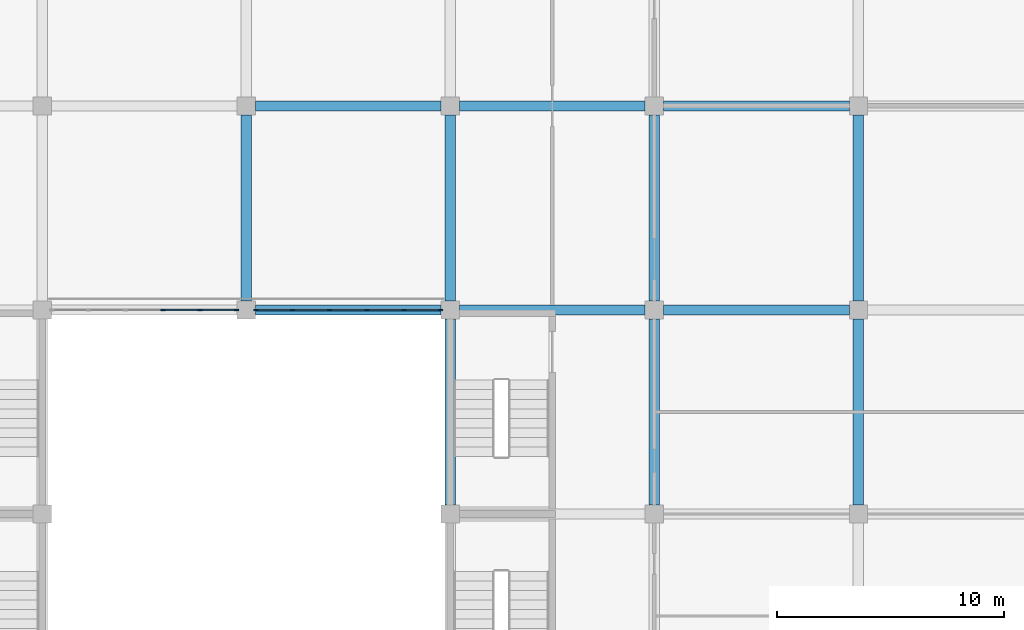
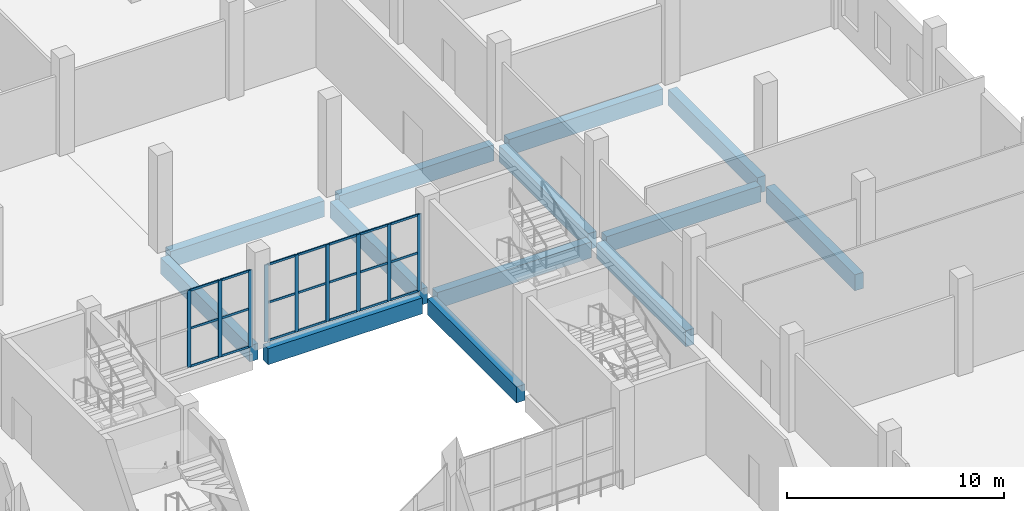
# One storey, part 24 of 185: 30 members, 13 beams, 2 elements without a shape of their own.
"""IFC4 building model written with IfcOpenShell, lengths in metres."""

import ifcopenshell
import ifcopenshell.guid

model = None  # the IFC model being written
_history = None  # IfcOwnerHistory: only IFC2X3 demands one
_inside = {}  # id of a spatial element -> (the spatial element, [elements in it])
_under = {}  # id of a project, library or spatial element -> (it, [spatial elements below it])
_declared = {}  # id of a project -> (the project, [libraries it declares])
_typed = {}  # id of a type object -> (the type object, [elements of that type])
_made_of = {}  # id of a material, layer set ... -> (it, [elements and type objects made of it])


def new_model(schema):
    """Start an empty IFC model of exactly this schema.

    Asked for "IFC4X3", IfcOpenShell would pick the latest addendum, in which some entities
    have other attributes; the version numbers below select the first issue.
    IFC2X3 requires an IfcOwnerHistory on every rooted entity: one is made here for all.
    """
    global model, _history
    if schema == "IFC4X3":
        model = ifcopenshell.file(schema_version=(4, 3, 0, 0))
    else:
        model = ifcopenshell.file(schema=schema)
    _inside.clear()
    _under.clear()
    _declared.clear()
    _typed.clear()
    _made_of.clear()
    _history = None
    if model.schema == "IFC2X3":
        org = make("IfcOrganization", Name="unknown")
        user = make(
            "IfcPersonAndOrganization",
            ThePerson=make("IfcPerson", FamilyName="unknown"),
            TheOrganization=org,
        )
        app = make(
            "IfcApplication",
            ApplicationDeveloper=org,
            Version="unknown",
            ApplicationFullName="unknown",
            ApplicationIdentifier="unknown",
        )
        _history = make(
            "IfcOwnerHistory",
            OwningUser=user,
            OwningApplication=app,
            ChangeAction="ADDED",
            CreationDate=0,
        )
    return model


def make(cls, **values):
    """One entity of the class cls with the attributes given. An attribute that is None is left unset."""
    return model.create_entity(
        cls, **{name: value for name, value in values.items() if value is not None}
    )


def rooted(cls, **values):
    """An entity with a GlobalId (a new one), such as an element, a storey or a relation."""
    return make(cls, GlobalId=ifcopenshell.guid.new(), OwnerHistory=_history, **values)


def si_unit(unit_type, name, prefix=None):
    """IfcSIUnit, for example si_unit("LENGTHUNIT", "METRE", prefix="MILLI")."""
    return make("IfcSIUnit", UnitType=unit_type, Prefix=prefix, Name=name)


def assignment(units):
    """IfcUnitAssignment: the units of a project."""
    return None if units is None else make("IfcUnitAssignment", Units=units)


def point(xyz):
    """IfcCartesianPoint."""
    return None if xyz is None else make("IfcCartesianPoint", Coordinates=xyz)


def direction(xyz):
    """IfcDirection."""
    return None if xyz is None else make("IfcDirection", DirectionRatios=xyz)


def frame(location, z_axis=None, x_axis=None):
    """IfcAxis2Placement3D, a coordinate frame: its origin and axes. An axis left out is left unset."""
    return make(
        "IfcAxis2Placement3D",
        Location=point(location),
        Axis=direction(z_axis),
        RefDirection=direction(x_axis),
    )


def frame_2d(location, x_axis=None):
    """IfcAxis2Placement2D, a coordinate frame in the plane: its origin and x axis."""
    return make(
        "IfcAxis2Placement2D", Location=point(location), RefDirection=direction(x_axis)
    )


def origin():
    """The frame at (0, 0, 0) with its axes left unset."""
    return frame((0.0, 0.0, 0.0))


def origin_2d():
    """The frame at (0, 0) in the plane with its x axis left unset."""
    return frame_2d((0.0, 0.0))


def place(relative_to, where):
    """IfcLocalPlacement: puts the frame where relative to a parent placement (None: the world)."""
    return make(
        "IfcLocalPlacement", PlacementRelTo=relative_to, RelativePlacement=where
    )


def context(
    kind, dimensions, precision=None, world=None, true_north=None, identifier=None
):
    """IfcGeometricRepresentationContext, for example the 3D "Model" context."""
    return make(
        "IfcGeometricRepresentationContext",
        ContextIdentifier=identifier,
        ContextType=kind,
        CoordinateSpaceDimension=dimensions,
        Precision=precision,
        WorldCoordinateSystem=world,
        TrueNorth=true_north,
    )


def subcontext(parent, identifier, kind, view, scale=None):
    """IfcGeometricRepresentationSubContext, for example "Body" below "Model"."""
    return make(
        "IfcGeometricRepresentationSubContext",
        ContextIdentifier=identifier,
        ContextType=kind,
        ParentContext=parent,
        TargetScale=scale,
        TargetView=view,
    )


def project(units=None, contexts=None):
    """IfcProject with its units and contexts."""
    return rooted(
        "IfcProject",
        Name="project",
        RepresentationContexts=contexts,
        UnitsInContext=assignment(units),
    )


def spatial(cls, under=None, at=None, **own):
    """A site, building, storey or space (cls), placed at a placement, below another one or the project."""
    s = rooted(cls, ObjectPlacement=at, **own)
    if under is not None:
        _under.setdefault(under.id(), (under, []))[1].append(s)
    return s


def profile(cls, at=None, kind="AREA", **sizes):
    """A parametric profile (cls). Its sizes go by their IFC names, for example OverallWidth=200.0."""
    return make(cls, ProfileType=kind, Position=at, **sizes)


def rectangle(**sizes):
    """IfcRectangleProfileDef."""
    return profile("IfcRectangleProfileDef", **sizes)


def extrude(swept, where, along, depth):
    """IfcExtrudedAreaSolid: the profile swept, set in the frame where, extruded along a direction by depth."""
    return make(
        "IfcExtrudedAreaSolid",
        SweptArea=swept,
        Position=where,
        ExtrudedDirection=direction(along),
        Depth=depth,
    )


def shape(context_of_items, identifier, shape_type, items):
    """IfcShapeRepresentation: the items that make up one representation, for example the "Body"."""
    return make(
        "IfcShapeRepresentation",
        ContextOfItems=context_of_items,
        RepresentationIdentifier=identifier,
        RepresentationType=shape_type,
        Items=items,
    )


def material(Name=None, Category=None):
    """IfcMaterial."""
    return make("IfcMaterial", Name=Name, Category=Category)


def layer(
    of_material, thickness, ventilated=None, Name=None, Category=None, Priority=None
):
    """IfcMaterialLayer: one layer of a wall or slab, of a material (None: an air gap)."""
    return make(
        "IfcMaterialLayer",
        Material=of_material,
        LayerThickness=thickness,
        IsVentilated=ventilated,
        Name=Name,
        Category=Category,
        Priority=Priority,
    )


def layer_set(layers, Name=None):
    """IfcMaterialLayerSet."""
    return make("IfcMaterialLayerSet", MaterialLayers=layers, LayerSetName=Name)


def material_profile(
    of_material, cross_section, Name=None, Category=None, Priority=None
):
    """IfcMaterialProfile: a cross section and its material."""
    return make(
        "IfcMaterialProfile",
        Name=Name,
        Material=of_material,
        Profile=cross_section,
        Priority=Priority,
        Category=Category,
    )


def profile_set(profiles, Name=None, composite=None):
    """IfcMaterialProfileSet."""
    return make(
        "IfcMaterialProfileSet",
        Name=Name,
        MaterialProfiles=profiles,
        CompositeProfile=composite,
    )


def made_of(thing, what):
    """Note that an element or type object is made of a material, layer set ...; save() writes the relation."""
    if what is not None:
        _made_of.setdefault(what.id(), (what, []))[1].append(thing)
    return thing


def type_object(cls, material=None, **own):
    """A type object (cls), such as IfcWallType, which elements share."""
    return made_of(rooted(cls, **own), material)


def element(
    cls,
    number,
    at=None,
    inside=None,
    cuts=None,
    type_object=None,
    material=None,
    context=None,
    identifier="Body",
    shape_type=None,
    held_by="IfcProductDefinitionShape",
    body=None,
    shapes=None,
    **own,
):
    """One element of the class cls, such as IfcWall. Its Tag is "e" and its number.

    at: its placement. inside: the storey or other place that contains it. cuts: it is an
    opening in that element (IfcRelVoidsElement). A single representation is given by context,
    identifier, shape_type and body (its items); several are given by shapes. held_by: the class
    of the entity that holds the representations. save() writes the other relations.
    """
    e = rooted(cls, Tag="e%d" % number, ObjectPlacement=at, **own)
    if body is not None:
        shapes = [shape(context, identifier, shape_type, body)]
    if shapes is not None:
        e.Representation = make(held_by, Representations=shapes)
    if inside is not None:
        _inside.setdefault(inside.id(), (inside, []))[1].append(e)
    if cuts is not None:
        rooted(
            "IfcRelVoidsElement", RelatingBuildingElement=cuts, RelatedOpeningElement=e
        )
    if type_object is not None:
        _typed.setdefault(type_object.id(), (type_object, []))[1].append(e)
    return made_of(e, material)


def aggregate(whole, parts):
    """IfcRelAggregates: a whole, such as a stair, and the parts it consists of."""
    return rooted("IfcRelAggregates", RelatingObject=whole, RelatedObjects=parts)


def save(model, path):
    """Write the relations noted so far, then the file.

    IfcRelAggregates (storeys below a building ...), IfcRelContainedInSpatialStructure (elements
    in a storey), IfcRelDefinesByType, IfcRelAssociatesMaterial and IfcRelDeclares: one each for
    every whole, place, type object, material and project.
    """
    for whole, parts in _under.values():
        aggregate(whole, parts)
    for where, things in _inside.values():
        rooted(
            "IfcRelContainedInSpatialStructure",
            RelatedElements=things,
            RelatingStructure=where,
        )
    for kind, things in _typed.values():
        rooted("IfcRelDefinesByType", RelatedObjects=things, RelatingType=kind)
    for what, things in _made_of.values():
        rooted("IfcRelAssociatesMaterial", RelatedObjects=things, RelatingMaterial=what)
    for by, libraries in _declared.values():
        rooted("IfcRelDeclares", RelatingContext=by, RelatedDefinitions=libraries)
    model.write(path)


model = new_model("IFC4")

# Units and contexts
model_context = context("Model", 3, precision=1e-05, world=origin(), true_north=direction((0.0, 1.0)))
body_context = subcontext(model_context, "Body", "Model", "MODEL_VIEW")
ifc_project = project(units=[si_unit("LENGTHUNIT", "METRE"), si_unit("AREAUNIT", "SQUARE_METRE"), si_unit("VOLUMEUNIT", "CUBIC_METRE"), si_unit("PLANEANGLEUNIT", "RADIAN"), si_unit("MASSUNIT", "GRAM", prefix="KILO")], contexts=[model_context])

# Site, building, storey
site_placement = place(None, origin())
site = spatial("IfcSite", under=ifc_project, at=site_placement, CompositionType="ELEMENT")
building_placement = place(site_placement, origin())
building = spatial("IfcBuilding", under=site, at=building_placement, Name="Opaline Strait Convention Centre", CompositionType="ELEMENT")
storey_placement = place(building_placement, frame((0.0, 0.0, 6.0)))
storey = spatial("IfcBuildingStorey", under=building, at=storey_placement, Name="L01", CompositionType="ELEMENT", Elevation=6.0)

# Curtain wall, members
ifc_material_1 = material(Name="Aluminium framed double glazing", Category="aluminium")
ifc_layer = layer(ifc_material_1, 0.199951171875)
ifc_layer_set = layer_set([ifc_layer], Name="Aluminium framed double glazing")
curtain_wall_type = type_object("IfcCurtainWallType", Name="Curtain wall 1500 module", PredefinedType="NOTDEFINED", material=ifc_layer_set)
curtain_wall_1_placement = place(storey_placement, origin())
curtain_wall_1 = element("IfcCurtainWall", 1, at=curtain_wall_1_placement, inside=storey, type_object=curtain_wall_type, Name="L01 court glazing Nc 1", PredefinedType="NOTDEFINED")
ifc_material_2 = material(Name="Aluminium alloy 6063", Category="aluminium")
ifc_material_profile_1 = material_profile(ifc_material_2, rectangle(XDim=0.06005859375, YDim=0.199951171875, at=origin_2d()), Name="Curtain wall mullion 60x200")
ifc_profile_set_1 = profile_set([ifc_material_profile_1], Name="Aluminium alloy 6063")
member_type_1 = type_object("IfcMemberType", Name="Curtain wall mullion 60x200", PredefinedType="MULLION", material=ifc_profile_set_1)
member_1_placement = place(storey_placement, frame((41.320068359375, 63.0, 0.0), z_axis=(0.0, 0.0, 1.0), x_axis=(0.0, 1.0, 0.0)))
member_1 = element("IfcMember", 2, at=member_1_placement, type_object=member_type_1, Name="RCW1 mullion 4", PredefinedType="MULLION", context=body_context, shape_type="SweptSolid", body=[
    extrude(rectangle(XDim=0.06005859375, YDim=0.199951171875, at=origin_2d()), origin(), (0.0, 0.0, 1.0), 4.320068359375),
])
member_2_placement = place(storey_placement, frame((42.9599609375, 63.0, 0.0), z_axis=(0.0, 0.0, 1.0), x_axis=(0.0, 1.0, 0.0)))
member_2 = element("IfcMember", 3, at=member_2_placement, type_object=member_type_1, Name="RCW1 mullion 5", PredefinedType="MULLION", context=body_context, shape_type="SweptSolid", body=[
    extrude(rectangle(XDim=0.06005859375, YDim=0.199951171875, at=origin_2d()), origin(), (0.0, 0.0, 1.0), 4.320068359375),
])
member_3_placement = place(storey_placement, frame((44.570068359375, 63.0, 0.0), z_axis=(0.0, 0.0, 1.0), x_axis=(0.0, 1.0, 0.0)))
member_3 = element("IfcMember", 4, at=member_3_placement, type_object=member_type_1, Name="RCW1 mullion 6", PredefinedType="MULLION", context=body_context, shape_type="SweptSolid", body=[
    extrude(rectangle(XDim=0.06005859375, YDim=0.199951171875, at=origin_2d()), origin(), (0.0, 0.0, 1.0), 4.320068359375),
])

curtain_wall_2_placement = place(storey_placement, origin())
curtain_wall_2 = element("IfcCurtainWall", 5, at=curtain_wall_2_placement, inside=storey, type_object=curtain_wall_type, Name="L01 court glazing Nc 2", PredefinedType="NOTDEFINED")
member_4_placement = place(storey_placement, frame((45.429931640625, 63.0, 0.0), z_axis=(0.0, 0.0, 1.0), x_axis=(0.0, 1.0, 0.0)))
member_4 = element("IfcMember", 6, at=member_4_placement, type_object=member_type_1, Name="RCW1 mullion 1", PredefinedType="MULLION", context=body_context, shape_type="SweptSolid", body=[
    extrude(rectangle(XDim=0.06005859375, YDim=0.199951171875, at=origin_2d()), origin(), (0.0, 0.0, 1.0), 4.320068359375),
])
member_5_placement = place(storey_placement, frame((47.0400390625, 63.0, 0.0), z_axis=(0.0, 0.0, 1.0), x_axis=(0.0, 1.0, 0.0)))
member_5 = element("IfcMember", 7, at=member_5_placement, type_object=member_type_1, Name="RCW1 mullion 2", PredefinedType="MULLION", context=body_context, shape_type="SweptSolid", body=[
    extrude(rectangle(XDim=0.06005859375, YDim=0.199951171875, at=origin_2d()), origin(), (0.0, 0.0, 1.0), 4.320068359375),
])
member_6_placement = place(storey_placement, frame((48.679931640625, 63.0, 0.0), z_axis=(0.0, 0.0, 1.0), x_axis=(0.0, 1.0, 0.0)))
member_6 = element("IfcMember", 8, at=member_6_placement, type_object=member_type_1, Name="RCW1 mullion 3", PredefinedType="MULLION", context=body_context, shape_type="SweptSolid", body=[
    extrude(rectangle(XDim=0.06005859375, YDim=0.199951171875, at=origin_2d()), origin(), (0.0, 0.0, 1.0), 4.320068359375),
])
member_7_placement = place(storey_placement, frame((50.320068359375, 63.0, 0.0), z_axis=(0.0, 0.0, 1.0), x_axis=(0.0, 1.0, 0.0)))
member_7 = element("IfcMember", 9, at=member_7_placement, type_object=member_type_1, Name="RCW1 mullion 4", PredefinedType="MULLION", context=body_context, shape_type="SweptSolid", body=[
    extrude(rectangle(XDim=0.06005859375, YDim=0.199951171875, at=origin_2d()), origin(), (0.0, 0.0, 1.0), 4.320068359375),
])
member_8_placement = place(storey_placement, frame((51.9599609375, 63.0, 0.0), z_axis=(0.0, 0.0, 1.0), x_axis=(0.0, 1.0, 0.0)))
member_8 = element("IfcMember", 10, at=member_8_placement, type_object=member_type_1, Name="RCW1 mullion 5", PredefinedType="MULLION", context=body_context, shape_type="SweptSolid", body=[
    extrude(rectangle(XDim=0.06005859375, YDim=0.199951171875, at=origin_2d()), origin(), (0.0, 0.0, 1.0), 4.320068359375),
])
member_9_placement = place(storey_placement, frame((53.570068359375, 63.0, 0.0), z_axis=(0.0, 0.0, 1.0), x_axis=(0.0, 1.0, 0.0)))
member_9 = element("IfcMember", 11, at=member_9_placement, type_object=member_type_1, Name="RCW1 mullion 6", PredefinedType="MULLION", context=body_context, shape_type="SweptSolid", body=[
    extrude(rectangle(XDim=0.06005859375, YDim=0.199951171875, at=origin_2d()), origin(), (0.0, 0.0, 1.0), 4.320068359375),
])

# Member
ifc_material_profile_2 = material_profile(ifc_material_2, rectangle(XDim=0.06005859375, YDim=0.1201171875, at=origin_2d()), Name="Curtain wall transom 60x120")
ifc_profile_set_2 = profile_set([ifc_material_profile_2], Name="Aluminium alloy 6063")
member_type_2 = type_object("IfcMemberType", Name="Curtain wall transom 60x120", PredefinedType="USERDEFINED", material=ifc_profile_set_2)
member_10_placement = place(storey_placement, frame((41.35009765625, 63.0, 0.030029296875), z_axis=(1.0, 0.0, 0.0), x_axis=(0.0, 1.0, 0.0)))
member_10 = element("IfcMember", 12, at=member_10_placement, type_object=member_type_2, Name="RCW1 transom 4.1", ObjectType="TRANSOM", PredefinedType="USERDEFINED", context=body_context, shape_type="SweptSolid", body=[
    extrude(rectangle(XDim=0.06005859375, YDim=0.1201171875, at=origin_2d()), origin(), (0.0, 0.0, 1.0), 1.580078125),
])

member_11_placement = place(storey_placement, frame((41.35009765625, 63.0, 2.159912109375), z_axis=(1.0, 0.0, 0.0), x_axis=(0.0, 1.0, 0.0)))
member_11 = element("IfcMember", 13, at=member_11_placement, type_object=member_type_2, Name="RCW1 transom 4.2", ObjectType="TRANSOM", PredefinedType="USERDEFINED", context=body_context, shape_type="SweptSolid", body=[
    extrude(rectangle(XDim=0.06005859375, YDim=0.1201171875, at=origin_2d()), origin(), (0.0, 0.0, 1.0), 1.580078125),
])

member_12_placement = place(storey_placement, frame((41.35009765625, 63.0, 4.2900390625), z_axis=(1.0, 0.0, 0.0), x_axis=(0.0, 1.0, 0.0)))
member_12 = element("IfcMember", 14, at=member_12_placement, type_object=member_type_2, Name="RCW1 transom 4.3", ObjectType="TRANSOM", PredefinedType="USERDEFINED", context=body_context, shape_type="SweptSolid", body=[
    extrude(rectangle(XDim=0.06005859375, YDim=0.1201171875, at=origin_2d()), origin(), (0.0, 0.0, 1.0), 1.580078125),
])

member_13_placement = place(storey_placement, frame((42.989990234375, 63.0, 0.030029296875), z_axis=(1.0, 0.0, 0.0), x_axis=(0.0, 1.0, 0.0)))
member_13 = element("IfcMember", 15, at=member_13_placement, type_object=member_type_2, Name="RCW1 transom 5.1", ObjectType="TRANSOM", PredefinedType="USERDEFINED", context=body_context, shape_type="SweptSolid", body=[
    extrude(rectangle(XDim=0.06005859375, YDim=0.1201171875, at=origin_2d()), origin(), (0.0, 0.0, 1.0), 1.550048828125),
])

member_14_placement = place(storey_placement, frame((42.989990234375, 63.0, 2.159912109375), z_axis=(1.0, 0.0, 0.0), x_axis=(0.0, 1.0, 0.0)))
member_14 = element("IfcMember", 16, at=member_14_placement, type_object=member_type_2, Name="RCW1 transom 5.2", ObjectType="TRANSOM", PredefinedType="USERDEFINED", context=body_context, shape_type="SweptSolid", body=[
    extrude(rectangle(XDim=0.06005859375, YDim=0.1201171875, at=origin_2d()), origin(), (0.0, 0.0, 1.0), 1.550048828125),
])

member_15_placement = place(storey_placement, frame((42.989990234375, 63.0, 4.2900390625), z_axis=(1.0, 0.0, 0.0), x_axis=(0.0, 1.0, 0.0)))
member_15 = element("IfcMember", 17, at=member_15_placement, type_object=member_type_2, Name="RCW1 transom 5.3", ObjectType="TRANSOM", PredefinedType="USERDEFINED", context=body_context, shape_type="SweptSolid", body=[
    extrude(rectangle(XDim=0.06005859375, YDim=0.1201171875, at=origin_2d()), origin(), (0.0, 0.0, 1.0), 1.550048828125),
])

aggregate(curtain_wall_1, [member_1, member_2, member_3, member_10, member_11, member_12, member_13, member_14, member_15])

member_16_placement = place(storey_placement, frame((45.4599609375, 63.0, 0.030029296875), z_axis=(1.0, 0.0, 0.0), x_axis=(0.0, 1.0, 0.0)))
member_16 = element("IfcMember", 18, at=member_16_placement, type_object=member_type_2, Name="RCW1 transom 1.1", ObjectType="TRANSOM", PredefinedType="USERDEFINED", context=body_context, shape_type="SweptSolid", body=[
    extrude(rectangle(XDim=0.06005859375, YDim=0.1201171875, at=origin_2d()), origin(), (0.0, 0.0, 1.0), 1.550048828125),
])

member_17_placement = place(storey_placement, frame((45.4599609375, 63.0, 2.159912109375), z_axis=(1.0, 0.0, 0.0), x_axis=(0.0, 1.0, 0.0)))
member_17 = element("IfcMember", 19, at=member_17_placement, type_object=member_type_2, Name="RCW1 transom 1.2", ObjectType="TRANSOM", PredefinedType="USERDEFINED", context=body_context, shape_type="SweptSolid", body=[
    extrude(rectangle(XDim=0.06005859375, YDim=0.1201171875, at=origin_2d()), origin(), (0.0, 0.0, 1.0), 1.550048828125),
])

member_18_placement = place(storey_placement, frame((45.4599609375, 63.0, 4.2900390625), z_axis=(1.0, 0.0, 0.0), x_axis=(0.0, 1.0, 0.0)))
member_18 = element("IfcMember", 20, at=member_18_placement, type_object=member_type_2, Name="RCW1 transom 1.3", ObjectType="TRANSOM", PredefinedType="USERDEFINED", context=body_context, shape_type="SweptSolid", body=[
    extrude(rectangle(XDim=0.06005859375, YDim=0.1201171875, at=origin_2d()), origin(), (0.0, 0.0, 1.0), 1.550048828125),
])

member_19_placement = place(storey_placement, frame((47.06982421875, 63.0, 0.030029296875), z_axis=(1.0, 0.0, 0.0), x_axis=(0.0, 1.0, 0.0)))
member_19 = element("IfcMember", 21, at=member_19_placement, type_object=member_type_2, Name="RCW1 transom 2.1", ObjectType="TRANSOM", PredefinedType="USERDEFINED", context=body_context, shape_type="SweptSolid", body=[
    extrude(rectangle(XDim=0.06005859375, YDim=0.1201171875, at=origin_2d()), origin(), (0.0, 0.0, 1.0), 1.580078125),
])

member_20_placement = place(storey_placement, frame((47.06982421875, 63.0, 2.159912109375), z_axis=(1.0, 0.0, 0.0), x_axis=(0.0, 1.0, 0.0)))
member_20 = element("IfcMember", 22, at=member_20_placement, type_object=member_type_2, Name="RCW1 transom 2.2", ObjectType="TRANSOM", PredefinedType="USERDEFINED", context=body_context, shape_type="SweptSolid", body=[
    extrude(rectangle(XDim=0.06005859375, YDim=0.1201171875, at=origin_2d()), origin(), (0.0, 0.0, 1.0), 1.580078125),
])

member_21_placement = place(storey_placement, frame((47.06982421875, 63.0, 4.2900390625), z_axis=(1.0, 0.0, 0.0), x_axis=(0.0, 1.0, 0.0)))
member_21 = element("IfcMember", 23, at=member_21_placement, type_object=member_type_2, Name="RCW1 transom 2.3", ObjectType="TRANSOM", PredefinedType="USERDEFINED", context=body_context, shape_type="SweptSolid", body=[
    extrude(rectangle(XDim=0.06005859375, YDim=0.1201171875, at=origin_2d()), origin(), (0.0, 0.0, 1.0), 1.580078125),
])

member_22_placement = place(storey_placement, frame((48.7099609375, 63.0, 0.030029296875), z_axis=(1.0, 0.0, 0.0), x_axis=(0.0, 1.0, 0.0)))
member_22 = element("IfcMember", 24, at=member_22_placement, type_object=member_type_2, Name="RCW1 transom 3.1", ObjectType="TRANSOM", PredefinedType="USERDEFINED", context=body_context, shape_type="SweptSolid", body=[
    extrude(rectangle(XDim=0.06005859375, YDim=0.1201171875, at=origin_2d()), origin(), (0.0, 0.0, 1.0), 1.580078125),
])

member_23_placement = place(storey_placement, frame((48.7099609375, 63.0, 2.159912109375), z_axis=(1.0, 0.0, 0.0), x_axis=(0.0, 1.0, 0.0)))
member_23 = element("IfcMember", 25, at=member_23_placement, type_object=member_type_2, Name="RCW1 transom 3.2", ObjectType="TRANSOM", PredefinedType="USERDEFINED", context=body_context, shape_type="SweptSolid", body=[
    extrude(rectangle(XDim=0.06005859375, YDim=0.1201171875, at=origin_2d()), origin(), (0.0, 0.0, 1.0), 1.580078125),
])

member_24_placement = place(storey_placement, frame((48.7099609375, 63.0, 4.2900390625), z_axis=(1.0, 0.0, 0.0), x_axis=(0.0, 1.0, 0.0)))
member_24 = element("IfcMember", 26, at=member_24_placement, type_object=member_type_2, Name="RCW1 transom 3.3", ObjectType="TRANSOM", PredefinedType="USERDEFINED", context=body_context, shape_type="SweptSolid", body=[
    extrude(rectangle(XDim=0.06005859375, YDim=0.1201171875, at=origin_2d()), origin(), (0.0, 0.0, 1.0), 1.580078125),
])

member_25_placement = place(storey_placement, frame((50.35009765625, 63.0, 0.030029296875), z_axis=(1.0, 0.0, 0.0), x_axis=(0.0, 1.0, 0.0)))
member_25 = element("IfcMember", 27, at=member_25_placement, type_object=member_type_2, Name="RCW1 transom 4.1", ObjectType="TRANSOM", PredefinedType="USERDEFINED", context=body_context, shape_type="SweptSolid", body=[
    extrude(rectangle(XDim=0.06005859375, YDim=0.1201171875, at=origin_2d()), origin(), (0.0, 0.0, 1.0), 1.580078125),
])

member_26_placement = place(storey_placement, frame((50.35009765625, 63.0, 2.159912109375), z_axis=(1.0, 0.0, 0.0), x_axis=(0.0, 1.0, 0.0)))
member_26 = element("IfcMember", 28, at=member_26_placement, type_object=member_type_2, Name="RCW1 transom 4.2", ObjectType="TRANSOM", PredefinedType="USERDEFINED", context=body_context, shape_type="SweptSolid", body=[
    extrude(rectangle(XDim=0.06005859375, YDim=0.1201171875, at=origin_2d()), origin(), (0.0, 0.0, 1.0), 1.580078125),
])

member_27_placement = place(storey_placement, frame((50.35009765625, 63.0, 4.2900390625), z_axis=(1.0, 0.0, 0.0), x_axis=(0.0, 1.0, 0.0)))
member_27 = element("IfcMember", 29, at=member_27_placement, type_object=member_type_2, Name="RCW1 transom 4.3", ObjectType="TRANSOM", PredefinedType="USERDEFINED", context=body_context, shape_type="SweptSolid", body=[
    extrude(rectangle(XDim=0.06005859375, YDim=0.1201171875, at=origin_2d()), origin(), (0.0, 0.0, 1.0), 1.580078125),
])

member_28_placement = place(storey_placement, frame((51.989990234375, 63.0, 0.030029296875), z_axis=(1.0, 0.0, 0.0), x_axis=(0.0, 1.0, 0.0)))
member_28 = element("IfcMember", 30, at=member_28_placement, type_object=member_type_2, Name="RCW1 transom 5.1", ObjectType="TRANSOM", PredefinedType="USERDEFINED", context=body_context, shape_type="SweptSolid", body=[
    extrude(rectangle(XDim=0.06005859375, YDim=0.1201171875, at=origin_2d()), origin(), (0.0, 0.0, 1.0), 1.550048828125),
])

member_29_placement = place(storey_placement, frame((51.989990234375, 63.0, 2.159912109375), z_axis=(1.0, 0.0, 0.0), x_axis=(0.0, 1.0, 0.0)))
member_29 = element("IfcMember", 31, at=member_29_placement, type_object=member_type_2, Name="RCW1 transom 5.2", ObjectType="TRANSOM", PredefinedType="USERDEFINED", context=body_context, shape_type="SweptSolid", body=[
    extrude(rectangle(XDim=0.06005859375, YDim=0.1201171875, at=origin_2d()), origin(), (0.0, 0.0, 1.0), 1.550048828125),
])

member_30_placement = place(storey_placement, frame((51.989990234375, 63.0, 4.2900390625), z_axis=(1.0, 0.0, 0.0), x_axis=(0.0, 1.0, 0.0)))
member_30 = element("IfcMember", 32, at=member_30_placement, type_object=member_type_2, Name="RCW1 transom 5.3", ObjectType="TRANSOM", PredefinedType="USERDEFINED", context=body_context, shape_type="SweptSolid", body=[
    extrude(rectangle(XDim=0.06005859375, YDim=0.1201171875, at=origin_2d()), origin(), (0.0, 0.0, 1.0), 1.550048828125),
])

aggregate(curtain_wall_2, [member_4, member_5, member_6, member_7, member_8, member_9, member_16, member_17, member_18, member_19, member_20, member_21, member_22, member_23, member_24, member_25, member_26, member_27, member_28, member_29, member_30])

# Beams
ifc_material_3 = material(Name="Concrete C35", Category="concrete")
ifc_material_profile_3 = material_profile(ifc_material_3, rectangle(XDim=0.449951171875, YDim=0.89990234375, at=origin_2d()), Name="RC 450x900")
ifc_profile_set_3 = profile_set([ifc_material_profile_3], Name="Concrete C35")
beam_type = type_object("IfcBeamType", Name="RC beam 450x900 C35", PredefinedType="BEAM", material=ifc_profile_set_3)
for number, where, z_axis, x_axis, name in (
    (33, (45.39990234375, 63.0, -0.72998046875), (1.0, 0.0, 0.0), (0.0, 1.0, 0.0), "XB1 L01 45/63-54/63"),
    (34, (54.39990234375, 63.0, -0.72998046875), (1.0, 0.0, 0.0), (0.0, 1.0, 0.0), "XB1 L01 54/63-63/63"),
    (35, (63.39990234375, 63.0, -0.72998046875), (1.0, 0.0, 0.0), (0.0, 1.0, 0.0), "XB1 L01 63/63-72/63"),
    (36, (45.39990234375, 72.0, -0.72998046875), (1.0, 0.0, 0.0), (0.0, 1.0, 0.0), "XB1 L01 45/72-54/72"),
    (37, (54.39990234375, 72.0, -0.72998046875), (1.0, 0.0, 0.0), (0.0, 1.0, 0.0), "XB1 L01 54/72-63/72"),
    (38, (63.39990234375, 72.0, -0.72998046875), (1.0, 0.0, 0.0), (0.0, 1.0, 0.0), "XB1 L01 63/72-72/72"),
    (39, (45.0, 63.39990234375, -0.72998046875), (0.0, 1.0, 0.0), (-1.0, 0.0, 0.0), "XB1 L01 45/63-45/72"),
    (40, (54.0, 54.39990234375, -0.72998046875), (0.0, 1.0, 0.0), (-1.0, 0.0, 0.0), "XB1 L01 54/54-54/63"),
    (41, (54.0, 63.39990234375, -0.72998046875), (0.0, 1.0, 0.0), (-1.0, 0.0, 0.0), "XB1 L01 54/63-54/72"),
    (42, (63.0, 54.39990234375, -0.72998046875), (0.0, 1.0, 0.0), (-1.0, 0.0, 0.0), "XB1 L01 63/54-63/63"),
    (43, (63.0, 63.39990234375, -0.72998046875), (0.0, 1.0, 0.0), (-1.0, 0.0, 0.0), "XB1 L01 63/63-63/72"),
    (44, (72.0, 54.39990234375, -0.72998046875), (0.0, 1.0, 0.0), (-1.0, 0.0, 0.0), "XB1 L01 72/54-72/63"),
    (45, (72.0, 63.39990234375, -0.72998046875), (0.0, 1.0, 0.0), (-1.0, 0.0, 0.0), "XB1 L01 72/63-72/72"),
):
    element("IfcBeam", number, at=place(storey_placement, frame(where, z_axis=z_axis, x_axis=x_axis)), inside=storey, type_object=beam_type, Name=name, PredefinedType="BEAM", context=body_context, shape_type="SweptSolid", body=[
        extrude(rectangle(XDim=0.449951171875, YDim=0.89990234375, at=origin_2d()), origin(), (0.0, 0.0, 1.0), 8.2001953125),
    ])

save(model, "model.ifc")
